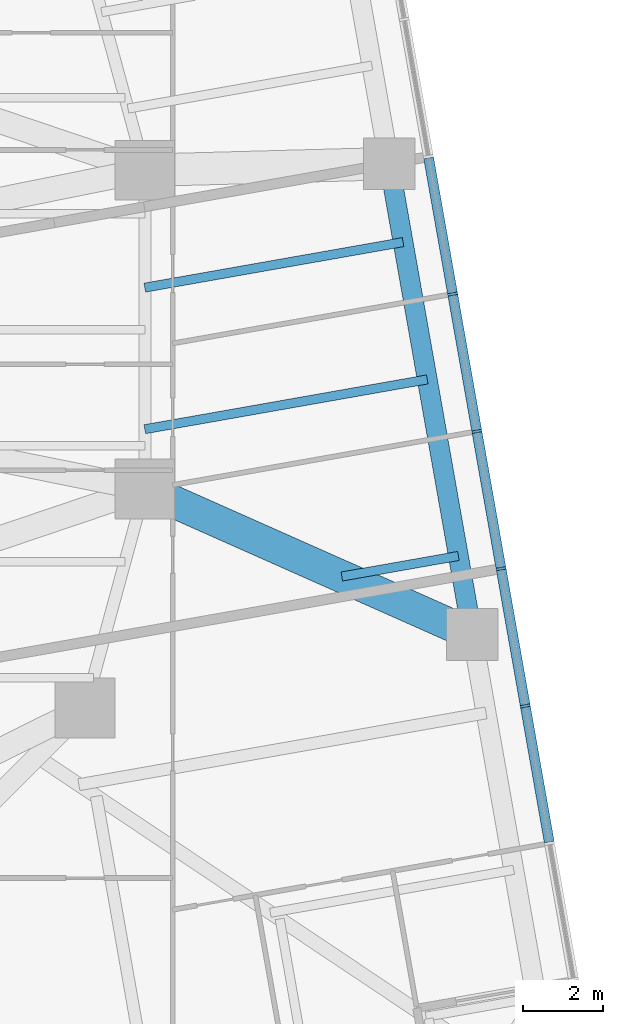
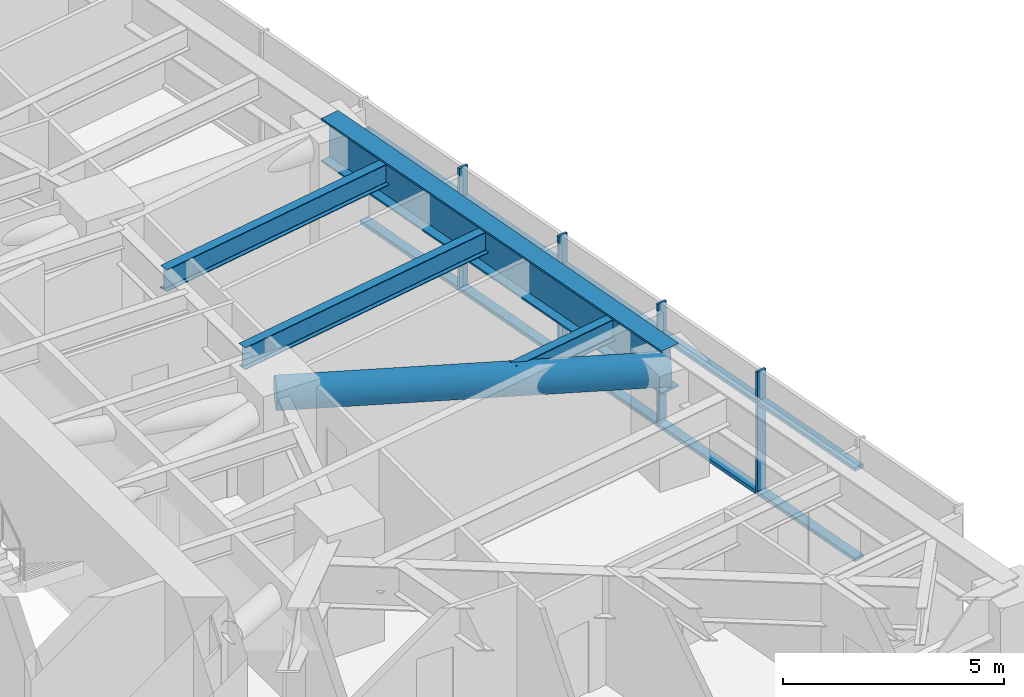
# One storey, part 5 of 17: 15 members, 4 beams, 1 element without a shape of its own.
"""IFC4 building model written with IfcOpenShell, lengths in metres."""

from ifc_helpers import new_model, si_unit, direction, frame, origin, origin_2d, place, context, subcontext, project, spatial, rectangle, hollow_circle, i_section, extrude, material, material_profile, profile_set, type_object, element, aggregate, save


model = new_model("IFC4")

# Units and contexts
model_context = context("Model", 3, precision=1e-05, world=origin(), true_north=direction((0.0, 1.0)))
body_context = subcontext(model_context, "Body", "Model", "MODEL_VIEW")
ifc_project = project(units=[si_unit("LENGTHUNIT", "METRE"), si_unit("AREAUNIT", "SQUARE_METRE"), si_unit("VOLUMEUNIT", "CUBIC_METRE"), si_unit("PLANEANGLEUNIT", "RADIAN"), si_unit("MASSUNIT", "GRAM", prefix="KILO")], contexts=[model_context])

# Site, building, storey
site_placement = place(None, origin())
site = spatial("IfcSite", under=ifc_project, at=site_placement, CompositionType="ELEMENT")
building_placement = place(site_placement, origin())
building = spatial("IfcBuilding", under=site, at=building_placement, Name="Torsade Residences", CompositionType="ELEMENT")
storey_placement = place(building_placement, frame((0.0, 0.0, 103.199951171875)))
storey = spatial("IfcBuildingStorey", under=building, at=storey_placement, Name="L28", CompositionType="ELEMENT", Elevation=103.199951171875)

# Curtain wall, members
ifc_material_1 = material(Name="Aluminium and glass", Category="aluminium")
curtain_wall_type = type_object("IfcCurtainWallType", Name="FRITTED GLASS CURTAIN WALL LOW ZONE", PredefinedType="NOTDEFINED", material=ifc_material_1)
curtain_wall_placement = place(storey_placement, origin())
curtain_wall = element("IfcCurtainWall", 1, at=curtain_wall_placement, inside=storey, type_object=curtain_wall_type, Name="Curtain wall L28 face 4", PredefinedType="NOTDEFINED")
ifc_material_2 = material(Name="Aluminium mullion", Category="aluminium")
ifc_material_profile_1 = material_profile(ifc_material_2, rectangle(XDim=0.25, YDim=0.06494140625, at=origin_2d()), Name="CURTAIN WALL MULLION 250x65")
ifc_profile_set_1 = profile_set([ifc_material_profile_1], Name="Aluminium mullion")
member_type_1 = type_object("IfcMemberType", Name="CURTAIN WALL MULLION 250x65", PredefinedType="MULLION", material=ifc_profile_set_1)
member_1_placement = place(storey_placement, frame((67.05126953125, 20.553955078125, 0.0), z_axis=(0.0, 0.0, 1.0), x_axis=(-0.984807750372, -0.173648192638, 0.0)))
member_1 = element("IfcMember", 2, at=member_1_placement, type_object=member_type_1, Name="Mullion 3", PredefinedType="MULLION", context=body_context, shape_type="SweptSolid", body=[
    extrude(rectangle(XDim=0.25, YDim=0.06494140625, at=origin_2d()), origin(), (0.0, 0.0, 1.0), 3.400146484375),
])
member_2_placement = place(storey_placement, frame((66.443603515625, 24.000732421875, 0.0), z_axis=(0.0, 0.0, 1.0), x_axis=(-0.984807750372, -0.173648192638, 0.0)))
member_2 = element("IfcMember", 3, at=member_2_placement, type_object=member_type_1, Name="Mullion 4", PredefinedType="MULLION", context=body_context, shape_type="SweptSolid", body=[
    extrude(rectangle(XDim=0.25, YDim=0.06494140625, at=origin_2d()), origin(), (0.0, 0.0, 1.0), 3.400146484375),
])
member_3_placement = place(storey_placement, frame((65.835693359375, 27.447509765625, 0.0), z_axis=(0.0, 0.0, 1.0), x_axis=(-0.984807750372, -0.173648192638, 0.0)))
member_3 = element("IfcMember", 4, at=member_3_placement, type_object=member_type_1, Name="Mullion 5", PredefinedType="MULLION", context=body_context, shape_type="SweptSolid", body=[
    extrude(rectangle(XDim=0.25, YDim=0.06494140625, at=origin_2d()), origin(), (0.0, 0.0, 1.0), 3.400146484375),
])
member_4_placement = place(storey_placement, frame((65.22802734375, 30.894287109375, 0.0), z_axis=(0.0, 0.0, 1.0), x_axis=(-0.984807750372, -0.173648192638, 0.0)))
member_4 = element("IfcMember", 5, at=member_4_placement, type_object=member_type_1, Name="Mullion 6", PredefinedType="MULLION", context=body_context, shape_type="SweptSolid", body=[
    extrude(rectangle(XDim=0.25, YDim=0.06494140625, at=origin_2d()), origin(), (0.0, 0.0, 1.0), 3.400146484375),
])
ifc_material_3 = material(Name="Aluminium transom", Category="aluminium")
ifc_material_profile_2 = material_profile(ifc_material_3, rectangle(XDim=0.25, YDim=0.10009765625, at=origin_2d()), Name="CURTAIN WALL TRANSOM 250x100")
ifc_profile_set_2 = profile_set([ifc_material_profile_2], Name="Aluminium transom")
member_type_2 = type_object("IfcMemberType", Name="CURTAIN WALL TRANSOM 250x100", PredefinedType="USERDEFINED", material=ifc_profile_set_2)
member_5_placement = place(storey_placement, frame((67.6533203125, 17.13916015625, 0.050048828125), z_axis=(-0.17363531196, 0.984810021497, 0.0), x_axis=(-0.984810021497, -0.17363531196, 0.0)))
member_5 = element("IfcMember", 6, at=member_5_placement, type_object=member_type_2, Name="Transom 2.1", ObjectType="TRANSOM", PredefinedType="USERDEFINED", context=body_context, shape_type="SweptSolid", body=[
    extrude(rectangle(XDim=0.25, YDim=0.10009765625, at=origin_2d()), origin(), (0.0, 0.0, 1.0), 3.43505859375),
])
member_6_placement = place(storey_placement, frame((67.6533203125, 17.13916015625, 2.550048828125), z_axis=(-0.17363531196, 0.984810021497, 0.0), x_axis=(-0.984810021497, -0.17363531196, 0.0)))
member_6 = element("IfcMember", 7, at=member_6_placement, type_object=member_type_2, Name="Transom 2.2", ObjectType="TRANSOM", PredefinedType="USERDEFINED", context=body_context, shape_type="SweptSolid", body=[
    extrude(rectangle(XDim=0.25, YDim=0.10009765625, at=origin_2d()), origin(), (0.0, 0.0, 1.0), 3.43505859375),
])
member_7_placement = place(storey_placement, frame((67.045654296875, 20.5859375, 0.050048828125), z_axis=(-0.17363531196, 0.984810021497, 0.0), x_axis=(-0.984810021497, -0.17363531196, 0.0)))
member_7 = element("IfcMember", 8, at=member_7_placement, type_object=member_type_2, Name="Transom 3.1", ObjectType="TRANSOM", PredefinedType="USERDEFINED", context=body_context, shape_type="SweptSolid", body=[
    extrude(rectangle(XDim=0.25, YDim=0.10009765625, at=origin_2d()), origin(), (0.0, 0.0, 1.0), 3.43505859375),
])
member_8_placement = place(storey_placement, frame((67.045654296875, 20.5859375, 2.550048828125), z_axis=(-0.17363531196, 0.984810021497, 0.0), x_axis=(-0.984810021497, -0.17363531196, 0.0)))
member_8 = element("IfcMember", 9, at=member_8_placement, type_object=member_type_2, Name="Transom 3.2", ObjectType="TRANSOM", PredefinedType="USERDEFINED", context=body_context, shape_type="SweptSolid", body=[
    extrude(rectangle(XDim=0.25, YDim=0.10009765625, at=origin_2d()), origin(), (0.0, 0.0, 1.0), 3.43505859375),
])
member_9_placement = place(storey_placement, frame((66.437744140625, 24.03271484375, 0.050048828125), z_axis=(-0.17363531196, 0.984810021497, 0.0), x_axis=(-0.984810021497, -0.17363531196, 0.0)))
member_9 = element("IfcMember", 10, at=member_9_placement, type_object=member_type_2, Name="Transom 4.1", ObjectType="TRANSOM", PredefinedType="USERDEFINED", context=body_context, shape_type="SweptSolid", body=[
    extrude(rectangle(XDim=0.25, YDim=0.10009765625, at=origin_2d()), origin(), (0.0, 0.0, 1.0), 3.43505859375),
])
member_10_placement = place(storey_placement, frame((66.437744140625, 24.03271484375, 2.550048828125), z_axis=(-0.17363531196, 0.984810021497, 0.0), x_axis=(-0.984810021497, -0.17363531196, 0.0)))
member_10 = element("IfcMember", 11, at=member_10_placement, type_object=member_type_2, Name="Transom 4.2", ObjectType="TRANSOM", PredefinedType="USERDEFINED", context=body_context, shape_type="SweptSolid", body=[
    extrude(rectangle(XDim=0.25, YDim=0.10009765625, at=origin_2d()), origin(), (0.0, 0.0, 1.0), 3.43505859375),
])
member_11_placement = place(storey_placement, frame((65.830078125, 27.4794921875, 0.050048828125), z_axis=(-0.17363531196, 0.984810021497, 0.0), x_axis=(-0.984810021497, -0.17363531196, 0.0)))
member_11 = element("IfcMember", 12, at=member_11_placement, type_object=member_type_2, Name="Transom 5.1", ObjectType="TRANSOM", PredefinedType="USERDEFINED", context=body_context, shape_type="SweptSolid", body=[
    extrude(rectangle(XDim=0.25, YDim=0.10009765625, at=origin_2d()), origin(), (0.0, 0.0, 1.0), 3.43505859375),
])
member_12_placement = place(storey_placement, frame((65.830078125, 27.4794921875, 2.550048828125), z_axis=(-0.17363531196, 0.984810021497, 0.0), x_axis=(-0.984810021497, -0.17363531196, 0.0)))
member_12 = element("IfcMember", 13, at=member_12_placement, type_object=member_type_2, Name="Transom 5.2", ObjectType="TRANSOM", PredefinedType="USERDEFINED", context=body_context, shape_type="SweptSolid", body=[
    extrude(rectangle(XDim=0.25, YDim=0.10009765625, at=origin_2d()), origin(), (0.0, 0.0, 1.0), 3.43505859375),
])
member_13_placement = place(storey_placement, frame((65.222412109375, 30.92626953125, 0.050048828125), z_axis=(-0.173704242465, 0.98479786563, 0.0), x_axis=(-0.98479786563, -0.173704242465, 0.0)))
member_13 = element("IfcMember", 14, at=member_13_placement, type_object=member_type_2, Name="Transom 6.1", ObjectType="TRANSOM", PredefinedType="USERDEFINED", context=body_context, shape_type="SweptSolid", body=[
    extrude(rectangle(XDim=0.25, YDim=0.10009765625, at=origin_2d()), origin(), (0.0, 0.0, 1.0), 3.43505859375),
])
member_14_placement = place(storey_placement, frame((65.222412109375, 30.92626953125, 2.550048828125), z_axis=(-0.173704242465, 0.98479786563, 0.0), x_axis=(-0.98479786563, -0.173704242465, 0.0)))
member_14 = element("IfcMember", 15, at=member_14_placement, type_object=member_type_2, Name="Transom 6.2", ObjectType="TRANSOM", PredefinedType="USERDEFINED", context=body_context, shape_type="SweptSolid", body=[
    extrude(rectangle(XDim=0.25, YDim=0.10009765625, at=origin_2d()), origin(), (0.0, 0.0, 1.0), 3.43505859375),
])
aggregate(curtain_wall, [member_1, member_2, member_3, member_4, member_5, member_6, member_7, member_8, member_9, member_10, member_11, member_12, member_13, member_14])

# Beams
ifc_material_4 = material(Name="Steel grade 300", Category="steel")
ifc_material_profile_3 = material_profile(ifc_material_4, i_section(OverallWidth=0.22900390625, OverallDepth=0.612060546875, WebThickness=0.011962890625, FlangeThickness=0.01953125, FilletRadius=0.013916015625, at=origin_2d()), Name="610UB125")
ifc_profile_set_3 = profile_set([ifc_material_profile_3], Name="Steel grade 300")
beam_type_1 = type_object("IfcBeamType", Name="SECONDARY BEAM 610UB125", PredefinedType="JOIST", material=ifc_profile_set_3)
beam_1_placement = place(storey_placement, frame((65.371826171875, 24.319580078125, 2.89404296875), z_axis=(-0.984797618104, -0.17370564578, 0.0), x_axis=(0.17370564578, -0.984797618104, 0.0)))
element("IfcBeam", 16, at=beam_1_placement, inside=storey, type_object=beam_type_1, Name="Floor beam FE04 L29", PredefinedType="JOIST", context=body_context, shape_type="SweptSolid", body=[
    extrude(i_section(OverallWidth=0.22900390625, OverallDepth=0.612060546875, WebThickness=0.011962890625, FlangeThickness=0.01953125, FilletRadius=0.013916015625, at=origin_2d()), origin(), (0.0, 0.0, 1.0), 2.97119140625),
])
beam_2_placement = place(storey_placement, frame((64.59033203125, 28.751220703125, 2.89404296875), z_axis=(-0.984807104535, -0.173651855324, 0.0), x_axis=(0.173651855324, -0.984807104535, 0.0)))
element("IfcBeam", 17, at=beam_2_placement, inside=storey, type_object=beam_type_1, Name="Floor beam FE05 L29", PredefinedType="JOIST", context=body_context, shape_type="SweptSolid", body=[
    extrude(i_section(OverallWidth=0.22900390625, OverallDepth=0.612060546875, WebThickness=0.011962890625, FlangeThickness=0.01953125, FilletRadius=0.013916015625, at=origin_2d()), origin(), (0.0, 0.0, 1.0), 7.19970703125),
])
beam_3_placement = place(storey_placement, frame((63.982666015625, 32.197998046875, 2.89404296875), z_axis=(-0.984807818459, -0.173647806501, 0.0), x_axis=(0.173647806501, -0.984807818459, 0.0)))
element("IfcBeam", 18, at=beam_3_placement, inside=storey, type_object=beam_type_1, Name="Floor beam FE06 L29", PredefinedType="JOIST", context=body_context, shape_type="SweptSolid", body=[
    extrude(i_section(OverallWidth=0.22900390625, OverallDepth=0.612060546875, WebThickness=0.011962890625, FlangeThickness=0.01953125, FilletRadius=0.013916015625, at=origin_2d()), origin(), (0.0, 0.0, 1.0), 6.582763671875),
])

# Member
ifc_material_5 = material(Name="Steel grade 450", Category="steel")
ifc_material_profile_4 = material_profile(ifc_material_5, hollow_circle(Radius=0.406494140625, WallThickness=0.02490234375, at=origin_2d()), Name="813.0x25.0CHS")
ifc_profile_set_4 = profile_set([ifc_material_profile_4], Name="Steel grade 450")
member_type_3 = type_object("IfcMemberType", Name="TRANSFER FLOOR STRUT 813.0x25.0CHS", PredefinedType="STRUT", material=ifc_profile_set_4)
member_15_placement = place(storey_placement, frame((65.71923828125, 22.349853515625, 2.800048828125), z_axis=(-0.913929053822, 0.405873976228, 0.0), x_axis=(-0.405873976228, -0.913929053822, 0.0)))
element("IfcMember", 19, at=member_15_placement, inside=storey, type_object=member_type_3, Name="Transfer floor strut TT3 bottom 06IR01", PredefinedType="STRUT", context=body_context, shape_type="SweptSolid", body=[
    extrude(hollow_circle(Radius=0.406494140625, WallThickness=0.02490234375, at=origin_2d()), origin(), (0.0, 0.0, 1.0), 8.993408203125),
])

# Beam
ifc_material_6 = material(Name="Steel grade 350", Category="steel")
ifc_material_profile_5 = material_profile(ifc_material_6, i_section(OverallWidth=0.5, OverallDepth=1.199951171875, WebThickness=0.031982421875, FlangeThickness=0.050048828125, at=origin_2d()), Name="1200x500x50x32WPG")
ifc_profile_set_5 = profile_set([ifc_material_profile_5], Name="Steel grade 350")
beam_type_2 = type_object("IfcBeamType", Name="TRANSFER TRUSS CHORD 1200x500x50x32WPG", PredefinedType="USERDEFINED", material=ifc_profile_set_5)
beam_4_placement = place(storey_placement, frame((65.71923828125, 22.349853515625, 2.800048828125), z_axis=(-0.173646056486, 0.984808127031, 0.0), x_axis=(-0.984808127031, -0.173646056486, 0.0)))
element("IfcBeam", 20, at=beam_4_placement, inside=storey, type_object=beam_type_2, Name="Transfer truss TT3 bottom chord 06", ObjectType="TRANSFER TRUSS CHORD", PredefinedType="USERDEFINED", context=body_context, shape_type="SweptSolid", body=[
    extrude(i_section(OverallWidth=0.5, OverallDepth=1.199951171875, WebThickness=0.031982421875, FlangeThickness=0.050048828125, at=origin_2d()), origin(), (0.0, 0.0, 1.0), 12.0),
])

save(model, "model.ifc")
